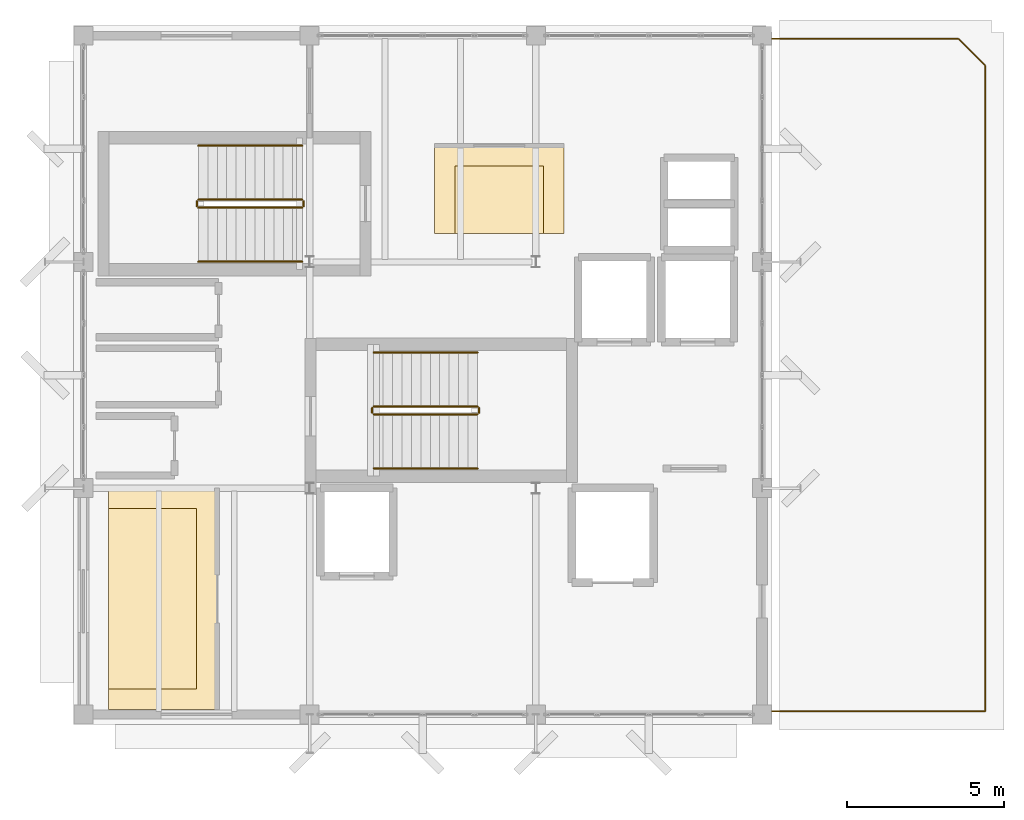
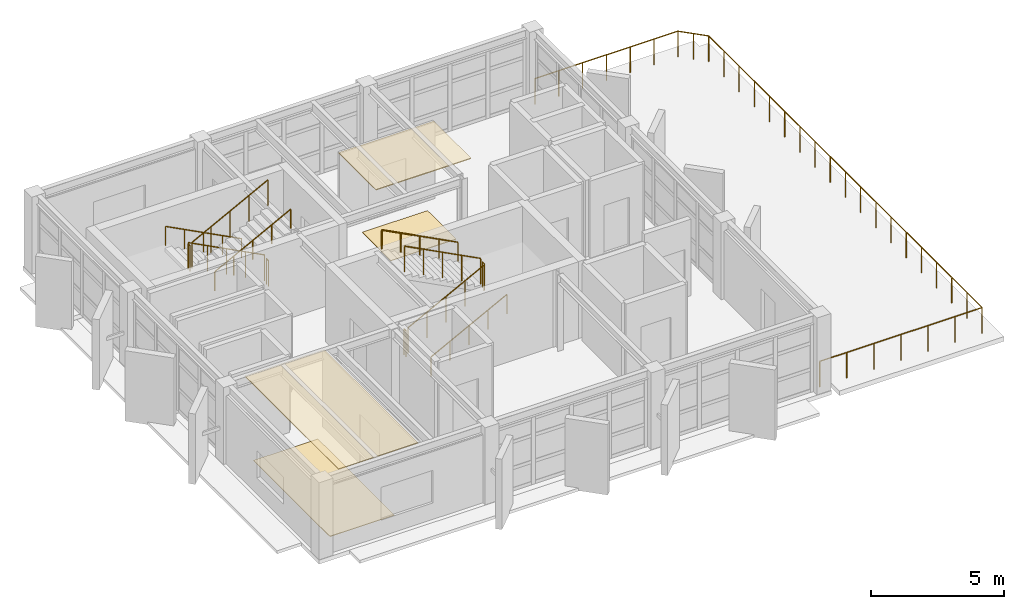
# One storey, part 13 of 13: 13 railings, 4 coverings.
"""IFC4 building model written with IfcOpenShell, lengths in metres."""

from ifc_helpers import new_model, si_unit, direction, frame, origin, origin_2d, place, context, subcontext, project, spatial, polyline, circle, outline, extrude, material, layer, layer_set, type_object, element, save


model = new_model("IFC4")

# Units and contexts
model_context = context("Model", 3, precision=1e-05, world=origin(), true_north=direction((0.0, 1.0)))
body_context = subcontext(model_context, "Body", "Model", "MODEL_VIEW")
ifc_project = project(units=[si_unit("LENGTHUNIT", "METRE"), si_unit("AREAUNIT", "SQUARE_METRE"), si_unit("VOLUMEUNIT", "CUBIC_METRE"), si_unit("PLANEANGLEUNIT", "RADIAN"), si_unit("MASSUNIT", "GRAM", prefix="KILO")], contexts=[model_context])

# Site, building, storey
site_placement = place(None, origin())
site = spatial("IfcSite", under=ifc_project, at=site_placement, CompositionType="ELEMENT")
building_placement = place(site_placement, origin())
building = spatial("IfcBuilding", under=site, at=building_placement, Name="Kandorven Conservatory and Botanical Research Centre", CompositionType="ELEMENT")
storey_placement = place(building_placement, frame((0.0, 0.0, 59.39990234375)))
storey = spatial("IfcBuildingStorey", under=building, at=storey_placement, Name="L15", CompositionType="ELEMENT", Elevation=59.39990234375)

# Coverings
ifc_material_1 = material(Name="Perforated mineral-fibre acoustic ceiling tile", Category="gypsum")
ifc_layer_1 = layer(ifc_material_1, 0.0400390625)
ifc_layer_set_1 = layer_set([ifc_layer_1], Name="Perforated mineral-fibre acoustic ceiling tile")
covering_type_1 = type_object("IfcCoveringType", Name="Cov_Ceiling_1", PredefinedType="CEILING", material=ifc_layer_set_1)
covering_1_placement = place(storey_placement, frame((0.0, 0.0, 3.47021484375)))
element("IfcCovering", 1, at=covering_1_placement, inside=storey, type_object=covering_type_1, Name="Suspended acoustic ceiling CLG-01 (Botanical Fellows Reading Room L15)", PredefinedType="CEILING", context=body_context, shape_type="SweptSolid", body=[
    extrude(outline(polyline([(6.800048828125, 6.14990234375), (10.25, 6.14990234375), (10.25, 13.199951171875), (6.800048828125, 13.199951171875), (6.800048828125, 6.14990234375)])), origin(), (0.0, 0.0, 1.0), 0.039794921875),
])
covering_2_placement = place(storey_placement, frame((0.0, 0.0, 3.47021484375)))
element("IfcCovering", 2, at=covering_2_placement, inside=storey, type_object=covering_type_1, Name="Suspended acoustic ceiling CLG-01 (Visiting Botanists Research Laboratory L15)", PredefinedType="CEILING", context=body_context, shape_type="SweptSolid", body=[
    extrude(outline(polyline([(17.169921875, 21.300048828125), (21.300048828125, 21.300048828125), (21.300048828125, 24.10009765625), (17.169921875, 24.10009765625), (17.169921875, 21.300048828125)])), origin(), (0.0, 0.0, 1.0), 0.039794921875),
])
ifc_material_2 = material(Name="Honed Kota stone and epoxy laboratory flooring", Category="masonry")
ifc_layer_2 = layer(ifc_material_2, 0.02490234375)
ifc_layer_set_2 = layer_set([ifc_layer_2], Name="Honed Kota stone and epoxy laboratory flooring")
covering_type_2 = type_object("IfcCoveringType", Name="Cov_Flooring_1", PredefinedType="FLOORING", material=ifc_layer_set_2)
covering_3_placement = place(storey_placement, origin())
element("IfcCovering", 3, at=covering_3_placement, inside=storey, type_object=covering_type_2, Name="Floor finish FLR-01 (Botanical Fellows Reading Room L15)", PredefinedType="FLOORING", context=body_context, shape_type="SweptSolid", body=[
    extrude(outline(polyline([(6.800048828125, 6.800048828125), (9.60009765625, 6.800048828125), (9.60009765625, 12.550048828125), (6.800048828125, 12.550048828125), (6.800048828125, 6.800048828125)])), origin(), (0.0, 0.0, 1.0), 0.025146484375),
])
covering_4_placement = place(storey_placement, origin())
element("IfcCovering", 4, at=covering_4_placement, inside=storey, type_object=covering_type_2, Name="Floor finish FLR-01 (Visiting Botanists Research Laboratory L15)", PredefinedType="FLOORING", context=body_context, shape_type="SweptSolid", body=[
    extrude(outline(polyline([(17.820068359375, 21.300048828125), (20.64990234375, 21.300048828125), (20.64990234375, 23.449951171875), (17.820068359375, 23.449951171875), (17.820068359375, 21.300048828125)])), origin(), (0.0, 0.0, 1.0), 0.025146484375),
])

# Railings
ifc_material_3 = material(Name="Steel S355 (IS 2062 E350)", Category="steel")
railing_type_1 = type_object("IfcRailingType", Name="Guard_Terrace", PredefinedType="BALUSTRADE", material=ifc_material_3)
railing_1_placement = place(storey_placement, frame((27.64990234375, 6.10009765625, 0.0)))
element("IfcRailing", 5, at=railing_1_placement, inside=storey, type_object=railing_type_1, Name="Level L15 botanical observatory terrace balustrade GR-01", PredefinedType="BALUSTRADE", context=body_context, shape_type="SweptSolid", body=[
    extrude(circle(Radius=0.02392578125, at=origin_2d()), frame((0.0, 0.0, 1.17578125), z_axis=(1.0, 0.0, 0.0), x_axis=(0.0, 1.0, 0.0)), (0.0, 0.0, 1.0), 7.050048828125),
    extrude(circle(Radius=0.02392578125, at=origin_2d()), frame((7.050048828125, 0.0, 1.17578125), z_axis=(0.0, 1.0, 0.0), x_axis=(-1.0, 0.0, 0.0)), (0.0, 0.0, 1.0), 20.5498046875),
    extrude(circle(Radius=0.02392578125, at=origin_2d()), frame((7.050048828125, 20.5498046875, 1.17578125), z_axis=(-0.707005221866, 0.707208325923, 0.0), x_axis=(-0.707208325923, -0.707005221866, 0.0)), (0.0, 0.0, 1.0), 1.2021484375),
    extrude(circle(Radius=0.02392578125, at=origin_2d()), frame((6.2001953125, 21.39990234375, 1.17578125), z_axis=(-1.0, 0.0, 0.0), x_axis=(0.0, -1.0, 0.0)), (0.0, 0.0, 1.0), 6.2001953125),
    extrude(circle(Radius=0.02099609375, at=origin_2d()), origin(), (0.0, 0.0, 1.0), 1.15185546875),
    extrude(circle(Radius=0.02099609375, at=origin_2d()), frame((1.175048828125, 0.0, 0.0)), (0.0, 0.0, 1.0), 1.15185546875),
    extrude(circle(Radius=0.02099609375, at=origin_2d()), frame((2.35009765625, 0.0, 0.0)), (0.0, 0.0, 1.0), 1.15185546875),
    extrude(circle(Radius=0.02099609375, at=origin_2d()), frame((3.52490234375, 0.0, 0.0)), (0.0, 0.0, 1.0), 1.15185546875),
    extrude(circle(Radius=0.02099609375, at=origin_2d()), frame((4.699951171875, 0.0, 0.0)), (0.0, 0.0, 1.0), 1.15185546875),
    extrude(circle(Radius=0.02099609375, at=origin_2d()), frame((5.875, 0.0, 0.0)), (0.0, 0.0, 1.0), 1.15185546875),
    extrude(circle(Radius=0.02099609375, at=origin_2d()), frame((7.050048828125, 0.0, 0.0)), (0.0, 0.0, 1.0), 1.15185546875),
    extrude(circle(Radius=0.02099609375, at=origin_2d()), frame((7.050048828125, 1.1416015625, 0.0)), (0.0, 0.0, 1.0), 1.15185546875),
    extrude(circle(Radius=0.02099609375, at=origin_2d()), frame((7.050048828125, 2.283203125, 0.0)), (0.0, 0.0, 1.0), 1.15185546875),
    extrude(circle(Radius=0.02099609375, at=origin_2d()), frame((7.050048828125, 3.425048828125, 0.0)), (0.0, 0.0, 1.0), 1.15185546875),
    extrude(circle(Radius=0.02099609375, at=origin_2d()), frame((7.050048828125, 4.566650390625, 0.0)), (0.0, 0.0, 1.0), 1.15185546875),
    extrude(circle(Radius=0.02099609375, at=origin_2d()), frame((7.050048828125, 5.708251953125, 0.0)), (0.0, 0.0, 1.0), 1.15185546875),
    extrude(circle(Radius=0.02099609375, at=origin_2d()), frame((7.050048828125, 6.849853515625, 0.0)), (0.0, 0.0, 1.0), 1.15185546875),
    extrude(circle(Radius=0.02099609375, at=origin_2d()), frame((7.050048828125, 7.99169921875, 0.0)), (0.0, 0.0, 1.0), 1.15185546875),
    extrude(circle(Radius=0.02099609375, at=origin_2d()), frame((7.050048828125, 9.13330078125, 0.0)), (0.0, 0.0, 1.0), 1.15185546875),
    extrude(circle(Radius=0.02099609375, at=origin_2d()), frame((7.050048828125, 10.27490234375, 0.0)), (0.0, 0.0, 1.0), 1.15185546875),
    extrude(circle(Radius=0.02099609375, at=origin_2d()), frame((7.050048828125, 11.41650390625, 0.0)), (0.0, 0.0, 1.0), 1.15185546875),
    extrude(circle(Radius=0.02099609375, at=origin_2d()), frame((7.050048828125, 12.55810546875, 0.0)), (0.0, 0.0, 1.0), 1.15185546875),
    extrude(circle(Radius=0.02099609375, at=origin_2d()), frame((7.050048828125, 13.699951171875, 0.0)), (0.0, 0.0, 1.0), 1.15185546875),
    extrude(circle(Radius=0.02099609375, at=origin_2d()), frame((7.050048828125, 14.841552734375, 0.0)), (0.0, 0.0, 1.0), 1.15185546875),
    extrude(circle(Radius=0.02099609375, at=origin_2d()), frame((7.050048828125, 15.983154296875, 0.0)), (0.0, 0.0, 1.0), 1.15185546875),
    extrude(circle(Radius=0.02099609375, at=origin_2d()), frame((7.050048828125, 17.124755859375, 0.0)), (0.0, 0.0, 1.0), 1.15185546875),
    extrude(circle(Radius=0.02099609375, at=origin_2d()), frame((7.050048828125, 18.2666015625, 0.0)), (0.0, 0.0, 1.0), 1.15185546875),
    extrude(circle(Radius=0.02099609375, at=origin_2d()), frame((7.050048828125, 19.408203125, 0.0)), (0.0, 0.0, 1.0), 1.15185546875),
    extrude(circle(Radius=0.02099609375, at=origin_2d()), frame((7.050048828125, 20.5498046875, 0.0)), (0.0, 0.0, 1.0), 1.15185546875),
    extrude(circle(Radius=0.02099609375, at=origin_2d()), frame((6.625, 20.974853515625, 0.0)), (0.0, 0.0, 1.0), 1.15185546875),
    extrude(circle(Radius=0.02099609375, at=origin_2d()), frame((6.2001953125, 21.39990234375, 0.0)), (0.0, 0.0, 1.0), 1.15185546875),
    extrude(circle(Radius=0.02099609375, at=origin_2d()), frame((5.166748046875, 21.39990234375, 0.0)), (0.0, 0.0, 1.0), 1.15185546875),
    extrude(circle(Radius=0.02099609375, at=origin_2d()), frame((4.133544921875, 21.39990234375, 0.0)), (0.0, 0.0, 1.0), 1.15185546875),
    extrude(circle(Radius=0.02099609375, at=origin_2d()), frame((3.10009765625, 21.39990234375, 0.0)), (0.0, 0.0, 1.0), 1.15185546875),
    extrude(circle(Radius=0.02099609375, at=origin_2d()), frame((2.066650390625, 21.39990234375, 0.0)), (0.0, 0.0, 1.0), 1.15185546875),
    extrude(circle(Radius=0.02099609375, at=origin_2d()), frame((1.033447265625, 21.39990234375, 0.0)), (0.0, 0.0, 1.0), 1.15185546875),
    extrude(circle(Radius=0.02099609375, at=origin_2d()), frame((0.0, 21.39990234375, 0.0)), (0.0, 0.0, 1.0), 1.15185546875),
])
ifc_material_4 = material(Name="Steel S355 (IS 2062 E350)", Category="steel")
railing_type_2 = type_object("IfcRailingType", Name="StairGuard_1150", PredefinedType="BALUSTRADE", material=ifc_material_4)
railing_2_placement = place(storey_placement, frame((15.239990234375, 15.550048828125, 0.15625)))
element("IfcRailing", 6, at=railing_2_placement, inside=storey, type_object=railing_type_2, Name="L15 ST-T1 stair guard 1", PredefinedType="BALUSTRADE", context=body_context, shape_type="SweptSolid", body=[
    extrude(circle(Radius=0.02392578125, at=origin_2d()), frame((0.0, 0.0, 1.17578125), z_axis=(0.886916884378, 0.0, 0.461929042392), x_axis=(0.0, 1.0, 0.0)), (0.0, 0.0, 1.0), 3.720703125),
    extrude(circle(Radius=0.02099609375, at=origin_2d()), origin(), (0.0, 0.0, 1.0), 1.15185546875),
    extrude(circle(Radius=0.02099609375, at=origin_2d()), frame((0.824951171875, 0.0, 0.4296875)), (0.0, 0.0, 1.0), 1.15185546875),
    extrude(circle(Radius=0.02099609375, at=origin_2d()), frame((1.64990234375, 0.0, 0.859375)), (0.0, 0.0, 1.0), 1.15185546875),
    extrude(circle(Radius=0.02099609375, at=origin_2d()), frame((2.47509765625, 0.0, 1.2890625)), (0.0, 0.0, 1.0), 1.15185546875),
    extrude(circle(Radius=0.02099609375, at=origin_2d()), frame((3.300048828125, 0.0, 1.71875)), (0.0, 0.0, 1.0), 1.15185546875),
])
railing_3_placement = place(storey_placement, frame((18.590087890625, 15.60009765625, 1.875)))
element("IfcRailing", 7, at=railing_3_placement, inside=storey, type_object=railing_type_2, Name="L15 ST-T1 stair guard 2", PredefinedType="BALUSTRADE", context=body_context, shape_type="SweptSolid", body=[
    extrude(circle(Radius=0.02392578125, at=origin_2d()), frame((0.0, 0.0, 1.17578125), z_axis=(0.0, 1.0, 0.0), x_axis=(-1.0, 0.0, 0.0)), (0.0, 0.0, 1.0), 0.14990234375),
    extrude(circle(Radius=0.02099609375, at=origin_2d()), origin(), (0.0, 0.0, 1.0), 1.15185546875),
    extrude(circle(Radius=0.02099609375, at=origin_2d()), frame((0.0, 0.14990234375, 0.0)), (0.0, 0.0, 1.0), 1.15185546875),
])
railing_4_placement = place(storey_placement, frame((18.5400390625, 15.800048828125, 2.03125)))
element("IfcRailing", 8, at=railing_4_placement, inside=storey, type_object=railing_type_2, Name="L15 ST-T1 stair guard 3", PredefinedType="BALUSTRADE", context=body_context, shape_type="SweptSolid", body=[
    extrude(circle(Radius=0.02392578125, at=origin_2d()), frame((0.0, 0.0, 1.17578125), z_axis=(-0.886916884378, 0.0, 0.461929042392), x_axis=(0.0, -1.0, 0.0)), (0.0, 0.0, 1.0), 3.720703125),
    extrude(circle(Radius=0.02099609375, at=origin_2d()), origin(), (0.0, 0.0, 1.0), 1.15185546875),
    extrude(circle(Radius=0.02099609375, at=origin_2d()), frame((-0.824951171875, 0.0, 0.4296875)), (0.0, 0.0, 1.0), 1.15185546875),
    extrude(circle(Radius=0.02099609375, at=origin_2d()), frame((-1.64990234375, 0.0, 0.859375)), (0.0, 0.0, 1.0), 1.15185546875),
    extrude(circle(Radius=0.02099609375, at=origin_2d()), frame((-2.47509765625, 0.0, 1.2890625)), (0.0, 0.0, 1.0), 1.15185546875),
    extrude(circle(Radius=0.02099609375, at=origin_2d()), frame((-3.300048828125, 0.0, 1.71875)), (0.0, 0.0, 1.0), 1.15185546875),
])
railing_5_placement = place(storey_placement, frame((15.18994140625, 15.60009765625, 0.0)))
element("IfcRailing", 9, at=railing_5_placement, inside=storey, type_object=railing_type_2, Name="L15 ST-T1 stair guard 4", PredefinedType="BALUSTRADE", context=body_context, shape_type="SweptSolid", body=[
    extrude(circle(Radius=0.02392578125, at=origin_2d()), frame((0.0, 0.0, 1.17578125), z_axis=(0.0, 1.0, 0.0), x_axis=(-1.0, 0.0, 0.0)), (0.0, 0.0, 1.0), 0.14990234375),
    extrude(circle(Radius=0.02099609375, at=origin_2d()), origin(), (0.0, 0.0, 1.0), 1.15185546875),
    extrude(circle(Radius=0.02099609375, at=origin_2d()), frame((0.0, 0.14990234375, 0.0)), (0.0, 0.0, 1.0), 1.15185546875),
])
railing_6_placement = place(storey_placement, frame((12.9599609375, 22.3798828125, 0.15625)))
element("IfcRailing", 10, at=railing_6_placement, inside=storey, type_object=railing_type_2, Name="L15 ST-T2 stair guard 1", PredefinedType="BALUSTRADE", context=body_context, shape_type="SweptSolid", body=[
    extrude(circle(Radius=0.02392578125, at=origin_2d()), frame((0.0, 0.0, 1.17578125), z_axis=(-0.886916884378, 0.0, 0.461929042392), x_axis=(0.0, -1.0, 0.0)), (0.0, 0.0, 1.0), 3.720703125),
    extrude(circle(Radius=0.02099609375, at=origin_2d()), origin(), (0.0, 0.0, 1.0), 1.15185546875),
    extrude(circle(Radius=0.02099609375, at=origin_2d()), frame((-0.824951171875, 0.0, 0.4296875)), (0.0, 0.0, 1.0), 1.15185546875),
    extrude(circle(Radius=0.02099609375, at=origin_2d()), frame((-1.64990234375, 0.0, 0.859375)), (0.0, 0.0, 1.0), 1.15185546875),
    extrude(circle(Radius=0.02099609375, at=origin_2d()), frame((-2.47509765625, 0.0, 1.2890625)), (0.0, 0.0, 1.0), 1.15185546875),
    extrude(circle(Radius=0.02099609375, at=origin_2d()), frame((-3.300048828125, 0.0, 1.71875)), (0.0, 0.0, 1.0), 1.15185546875),
])
railing_7_placement = place(storey_placement, frame((9.610107421875, 22.330078125, 1.875)))
element("IfcRailing", 11, at=railing_7_placement, inside=storey, type_object=railing_type_2, Name="L15 ST-T2 stair guard 2", PredefinedType="BALUSTRADE", context=body_context, shape_type="SweptSolid", body=[
    extrude(circle(Radius=0.02392578125, at=origin_2d()), frame((0.0, 0.0, 1.17578125), z_axis=(0.0, -1.0, 0.0), x_axis=(1.0, 0.0, 0.0)), (0.0, 0.0, 1.0), 0.150146484375),
    extrude(circle(Radius=0.02099609375, at=origin_2d()), origin(), (0.0, 0.0, 1.0), 1.15185546875),
    extrude(circle(Radius=0.02099609375, at=origin_2d()), frame((0.0, -0.150146484375, 0.0)), (0.0, 0.0, 1.0), 1.15185546875),
])
railing_8_placement = place(storey_placement, frame((9.659912109375, 22.1298828125, 2.03125)))
element("IfcRailing", 12, at=railing_8_placement, inside=storey, type_object=railing_type_2, Name="L15 ST-T2 stair guard 3", PredefinedType="BALUSTRADE", context=body_context, shape_type="SweptSolid", body=[
    extrude(circle(Radius=0.02392578125, at=origin_2d()), frame((0.0, 0.0, 1.17578125), z_axis=(0.886916884378, 0.0, 0.461929042392), x_axis=(0.0, 1.0, 0.0)), (0.0, 0.0, 1.0), 3.720703125),
    extrude(circle(Radius=0.02099609375, at=origin_2d()), origin(), (0.0, 0.0, 1.0), 1.15185546875),
    extrude(circle(Radius=0.02099609375, at=origin_2d()), frame((0.824951171875, 0.0, 0.4296875)), (0.0, 0.0, 1.0), 1.15185546875),
    extrude(circle(Radius=0.02099609375, at=origin_2d()), frame((1.64990234375, 0.0, 0.859375)), (0.0, 0.0, 1.0), 1.15185546875),
    extrude(circle(Radius=0.02099609375, at=origin_2d()), frame((2.47509765625, 0.0, 1.2890625)), (0.0, 0.0, 1.0), 1.15185546875),
    extrude(circle(Radius=0.02099609375, at=origin_2d()), frame((3.300048828125, 0.0, 1.71875)), (0.0, 0.0, 1.0), 1.15185546875),
])
railing_9_placement = place(storey_placement, frame((13.010009765625, 22.330078125, 0.0)))
element("IfcRailing", 13, at=railing_9_placement, inside=storey, type_object=railing_type_2, Name="L15 ST-T2 stair guard 4", PredefinedType="BALUSTRADE", context=body_context, shape_type="SweptSolid", body=[
    extrude(circle(Radius=0.02392578125, at=origin_2d()), frame((0.0, 0.0, 1.17578125), z_axis=(0.0, -1.0, 0.0), x_axis=(1.0, 0.0, 0.0)), (0.0, 0.0, 1.0), 0.150146484375),
    extrude(circle(Radius=0.02099609375, at=origin_2d()), origin(), (0.0, 0.0, 1.0), 1.15185546875),
    extrude(circle(Radius=0.02099609375, at=origin_2d()), frame((0.0, -0.150146484375, 0.0)), (0.0, 0.0, 1.0), 1.15185546875),
])
ifc_material_5 = material(Name="Steel S355 (IS 2062 E350)", Category="steel")
railing_type_3 = type_object("IfcRailingType", Name="StairHandrail_900", PredefinedType="HANDRAIL", material=ifc_material_5)
railing_10_placement = place(storey_placement, frame((15.239990234375, 13.830078125, 0.15625)))
element("IfcRailing", 14, at=railing_10_placement, inside=storey, type_object=railing_type_3, Name="L15 ST-T1 stair handrail 1", PredefinedType="HANDRAIL", context=body_context, shape_type="SweptSolid", body=[
    extrude(circle(Radius=0.02392578125, at=origin_2d()), frame((0.0, 0.0, 0.8759765625), z_axis=(0.886916884378, 0.0, 0.461929042392), x_axis=(0.0, 1.0, 0.0)), (0.0, 0.0, 1.0), 3.720703125),
    extrude(circle(Radius=0.02099609375, at=origin_2d()), origin(), (0.0, 0.0, 1.0), 0.851806640625),
    extrude(circle(Radius=0.02099609375, at=origin_2d()), frame((0.824951171875, 0.0, 0.4296875)), (0.0, 0.0, 1.0), 0.851806640625),
    extrude(circle(Radius=0.02099609375, at=origin_2d()), frame((1.64990234375, 0.0, 0.859375)), (0.0, 0.0, 1.0), 0.851806640625),
    extrude(circle(Radius=0.02099609375, at=origin_2d()), frame((2.47509765625, 0.0, 1.2890625)), (0.0, 0.0, 1.0), 0.851806640625),
    extrude(circle(Radius=0.02099609375, at=origin_2d()), frame((3.300048828125, 0.0, 1.71875)), (0.0, 0.0, 1.0), 0.851806640625),
])
for number, where, name in (
    (15, (18.5400390625, 17.52001953125, 2.03125), "L15 ST-T1 stair handrail 2"),
    (16, (12.9599609375, 24.10009765625, 0.15625), "L15 ST-T2 stair handrail 1"),
):
    element("IfcRailing", number, at=place(storey_placement, frame(where)), inside=storey, type_object=railing_type_3, Name=name, PredefinedType="HANDRAIL", context=body_context, shape_type="SweptSolid", body=[
        extrude(circle(Radius=0.02392578125, at=origin_2d()), frame((0.0, 0.0, 0.8759765625), z_axis=(-0.886916884378, 0.0, 0.461929042392), x_axis=(0.0, -1.0, 0.0)), (0.0, 0.0, 1.0), 3.720703125),
        extrude(circle(Radius=0.02099609375, at=origin_2d()), origin(), (0.0, 0.0, 1.0), 0.851806640625),
        extrude(circle(Radius=0.02099609375, at=origin_2d()), frame((-0.824951171875, 0.0, 0.4296875)), (0.0, 0.0, 1.0), 0.851806640625),
        extrude(circle(Radius=0.02099609375, at=origin_2d()), frame((-1.64990234375, 0.0, 0.859375)), (0.0, 0.0, 1.0), 0.851806640625),
        extrude(circle(Radius=0.02099609375, at=origin_2d()), frame((-2.47509765625, 0.0, 1.2890625)), (0.0, 0.0, 1.0), 0.851806640625),
        extrude(circle(Radius=0.02099609375, at=origin_2d()), frame((-3.300048828125, 0.0, 1.71875)), (0.0, 0.0, 1.0), 0.851806640625),
    ])
railing_11_placement = place(storey_placement, frame((9.659912109375, 20.409912109375, 2.03125)))
element("IfcRailing", 17, at=railing_11_placement, inside=storey, type_object=railing_type_3, Name="L15 ST-T2 stair handrail 2", PredefinedType="HANDRAIL", context=body_context, shape_type="SweptSolid", body=[
    extrude(circle(Radius=0.02392578125, at=origin_2d()), frame((0.0, 0.0, 0.8759765625), z_axis=(0.886916884378, 0.0, 0.461929042392), x_axis=(0.0, 1.0, 0.0)), (0.0, 0.0, 1.0), 3.720703125),
    extrude(circle(Radius=0.02099609375, at=origin_2d()), origin(), (0.0, 0.0, 1.0), 0.851806640625),
    extrude(circle(Radius=0.02099609375, at=origin_2d()), frame((0.824951171875, 0.0, 0.4296875)), (0.0, 0.0, 1.0), 0.851806640625),
    extrude(circle(Radius=0.02099609375, at=origin_2d()), frame((1.64990234375, 0.0, 0.859375)), (0.0, 0.0, 1.0), 0.851806640625),
    extrude(circle(Radius=0.02099609375, at=origin_2d()), frame((2.47509765625, 0.0, 1.2890625)), (0.0, 0.0, 1.0), 0.851806640625),
    extrude(circle(Radius=0.02099609375, at=origin_2d()), frame((3.300048828125, 0.0, 1.71875)), (0.0, 0.0, 1.0), 0.851806640625),
])

save(model, "model.ifc")
